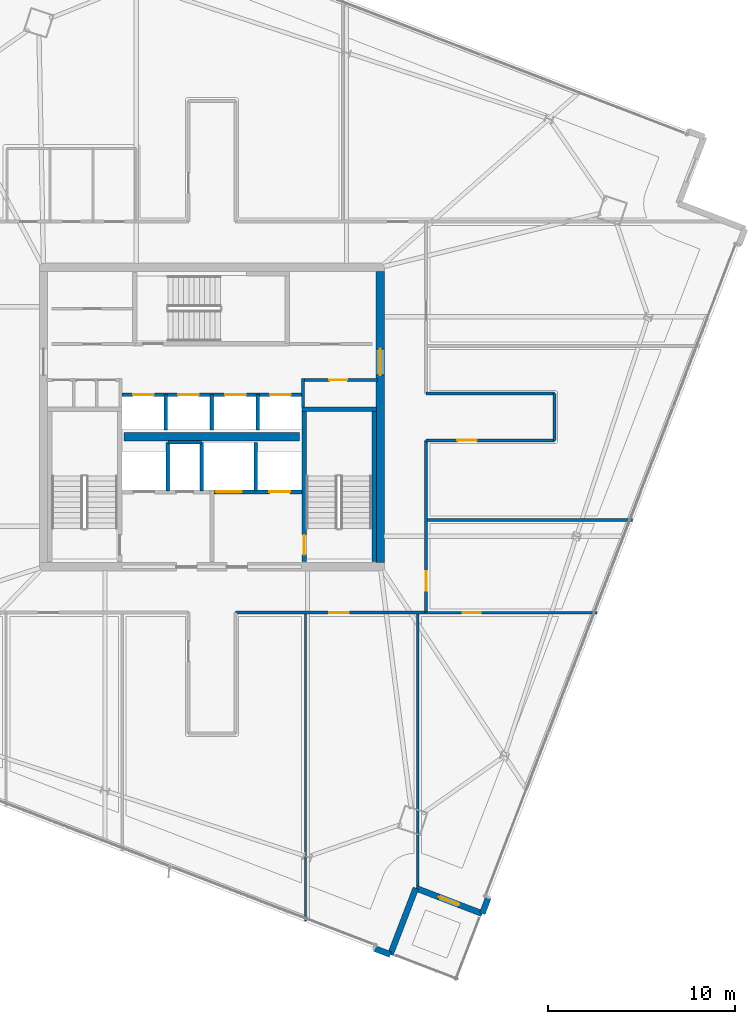
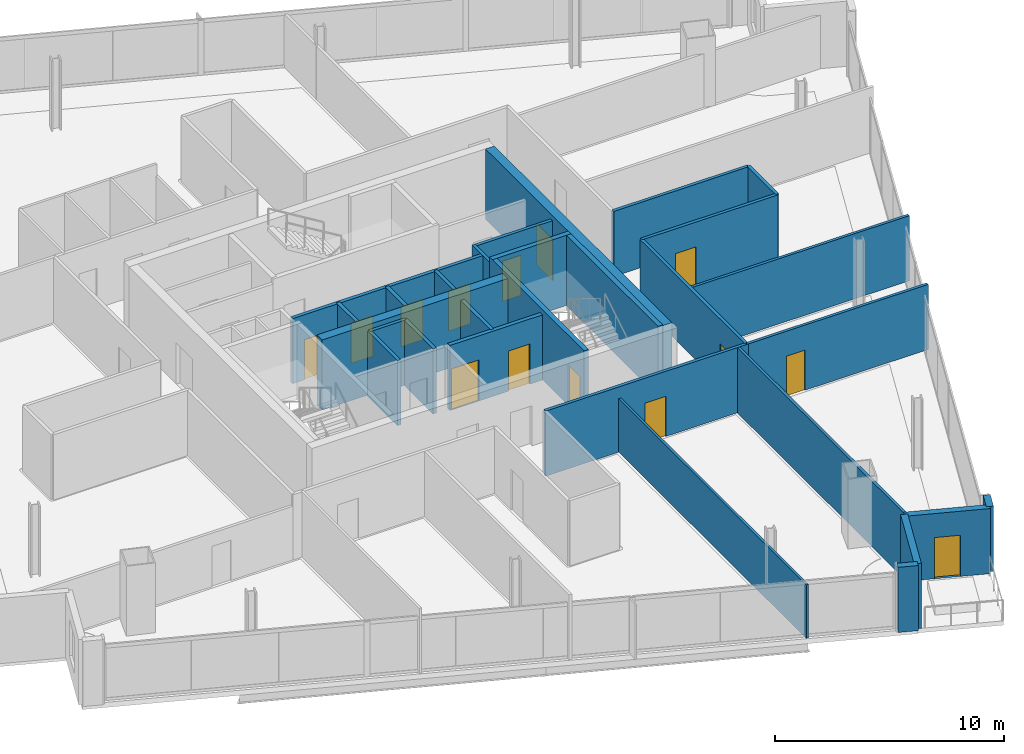
# One storey, part 20 of 27: 29 walls, 14 doors, 14 openings.
"""IFC4 building model written with IfcOpenShell, lengths in metres."""

from ifc_helpers import new_model, si_unit, direction, frame, frame_2d, origin, place, context, subcontext, project, spatial, rectangle, extrude, material, layer, layer_set, type_object, element, fill, save


model = new_model("IFC4")

# Units and contexts
model_context = context("Model", 3, precision=1e-05, world=origin(), true_north=direction((0.0, 1.0)))
body_context = subcontext(model_context, "Body", "Model", "MODEL_VIEW")
ifc_project = project(units=[si_unit("LENGTHUNIT", "METRE"), si_unit("AREAUNIT", "SQUARE_METRE"), si_unit("VOLUMEUNIT", "CUBIC_METRE"), si_unit("PLANEANGLEUNIT", "RADIAN"), si_unit("MASSUNIT", "GRAM", prefix="KILO")], contexts=[model_context])

# Site, building, storey
site_placement = place(None, origin())
site = spatial("IfcSite", under=ifc_project, at=site_placement, CompositionType="ELEMENT")
building_placement = place(site_placement, origin())
building = spatial("IfcBuilding", under=site, at=building_placement, Name="Haldenkirk Collegiate Tower", CompositionType="ELEMENT")
storey_placement = place(building_placement, frame((0.0, 0.0, 259.949951171875)))
storey = spatial("IfcBuildingStorey", under=building, at=storey_placement, Name="L65", CompositionType="ELEMENT", Elevation=259.949951171875)

# Wall, opening, door
ifc_material_1 = material(Name="Concrete f'c 55 MPa", Category="concrete")
ifc_layer_1 = layer(ifc_material_1, 0.449951171875)
ifc_layer_set_1 = layer_set([ifc_layer_1], Name="Concrete f'c 55 MPa")
wall_type_1 = type_object("IfcWallType", Name="WL-CORE-450", PredefinedType="SHEAR", material=ifc_layer_set_1)
wall_1_placement = place(storey_placement, frame((45.0, 18.22509765625, 0.0), z_axis=(0.0, 0.0, 1.0), x_axis=(0.0, 1.0, 0.0)))
wall_1 = element("IfcWall", 1, at=wall_1_placement, inside=storey, type_object=wall_type_1, Name="L65 central core shear wall E", PredefinedType="SHEAR", context=body_context, shape_type="SweptSolid", body=[
    extrude(rectangle(XDim=15.5498046875, YDim=0.449951171875, at=frame_2d((7.77490234375, 0.0))), origin(), (0.0, 0.0, 1.0), 3.75),
])
opening_1_placement = place(wall_1_placement, frame((10.014892578125, 0.0, 0.0)))
opening_1 = element("IfcOpeningElement", 2, at=opening_1_placement, cuts=wall_1, Name="Opening D-03", PredefinedType="OPENING", context=body_context, shape_type="SweptSolid", body=[
    extrude(rectangle(XDim=1.39990234375, YDim=2.199951171875, at=frame_2d((0.699951171875, 1.10009765625))), frame((0.0, 0.23486328125, 0.0), z_axis=(0.0, -1.0, 0.0), x_axis=(1.0, 0.0, 0.0)), (0.0, 0.0, 1.0), 0.469970703125),
])
ifc_material_2 = material(Name="Galvanized fire-rated hollow steel door", Category="steel")
ifc_layer_2 = layer(ifc_material_2, 0.06005859375)
ifc_layer_set_2 = layer_set([ifc_layer_2], Name="Galvanized fire-rated hollow steel door")
door_type_1 = type_object("IfcDoorType", Name="DR-LOBBY-FD90-1400", OperationType="NOTDEFINED", PredefinedType="DOOR", material=ifc_layer_set_2)
door_1_placement = place(opening_1_placement, origin())
door_1 = element("IfcDoor", 3, at=door_1_placement, inside=storey, type_object=door_type_1, Name="L65 east lift lobby portal", OperationType="DOUBLE_DOOR_SINGLE_SWING", OverallHeight=2.199951171875, OverallWidth=1.39990234375, PredefinedType="DOOR", context=body_context, shape_type="SweptSolid", body=[
    extrude(rectangle(XDim=1.39990234375, YDim=2.199951171875, at=frame_2d((0.699951171875, 1.10009765625))), frame((0.0, 0.02490234375, 0.0), z_axis=(0.0, -1.0, 0.0), x_axis=(1.0, 0.0, 0.0)), (0.0, 0.0, 1.0), 0.050048828125),
])
fill(opening_1, door_1)

# Walls
wall_2_placement = place(storey_placement, frame((31.31005859375, 24.949951171875, 0.0), z_axis=(0.0, 0.0, 1.0), x_axis=(1.0, 0.0, 0.0)))
element("IfcWall", 4, at=wall_2_placement, inside=storey, type_object=wall_type_1, Name="L65 central core spine shear wall", PredefinedType="SHEAR", context=body_context, shape_type="SweptSolid", body=[
    extrude(rectangle(XDim=9.3798828125, YDim=0.449951171875, at=frame_2d((4.68994140625, 0.0))), origin(), (0.0, 0.0, 1.0), 3.75),
])
ifc_material_3 = material(Name="Precast concrete f'c 40 MPa", Category="concrete")
ifc_layer_3 = layer(ifc_material_3, 0.320068359375)
ifc_layer_set_3 = layer_set([ifc_layer_3], Name="Precast concrete f'c 40 MPa")
wall_type_2 = type_object("IfcWallType", Name="WL-EXT-TWR-320", PredefinedType="STANDARD", material=ifc_layer_set_3)
for number, where, z_axis, x_axis, name in (
    (5, (50.770751953125, 0.299560546875, 0.0), (0.0, 0.0, 1.0), (-0.358397236741, -0.933569183669, 0.0), "L65 precast corner pier SR"),
    (6, (45.538818359375, -2.726318359375, 0.0), (0.0, 0.0, 1.0), (-0.933569183669, 0.358397236741, 0.0), "L65 precast corner pier WL"),
):
    element("IfcWall", number, at=place(storey_placement, frame(where, z_axis=z_axis, x_axis=x_axis)), inside=storey, type_object=wall_type_2, Name=name, PredefinedType="STANDARD", context=body_context, shape_type="SweptSolid", body=[
        extrude(rectangle(XDim=0.89990234375, YDim=0.320068359375, at=frame_2d((0.449951171875, 0.0))), origin(), (0.0, 0.0, 1.0), 3.47998046875),
    ])
wall_3_placement = place(storey_placement, frame((46.900634765625, 0.8212890625, 0.0), z_axis=(0.0, 0.0, 1.0), x_axis=(-0.35837196486, -0.933578885152, 0.0)))
element("IfcWall", 7, at=wall_3_placement, inside=storey, type_object=wall_type_2, Name="L65 bronze precast notch wall 11", PredefinedType="STANDARD", context=body_context, shape_type="SweptSolid", body=[
    extrude(rectangle(XDim=3.800048828125, YDim=0.320068359375, at=frame_2d((1.89990234375, 0.0))), origin(), (0.0, 0.0, 1.0), 3.47998046875),
])

# Wall, opening, door
wall_4_placement = place(storey_placement, frame((50.4482421875, -0.54052734375, 0.0), z_axis=(0.0, 0.0, 1.0), x_axis=(-0.933578885152, 0.35837196486, 0.0)))
wall_4 = element("IfcWall", 8, at=wall_4_placement, inside=storey, type_object=wall_type_2, Name="L65 bronze precast notch wall 12", PredefinedType="STANDARD", context=body_context, shape_type="SweptSolid", body=[
    extrude(rectangle(XDim=3.800048828125, YDim=0.320068359375, at=frame_2d((1.89990234375, 0.0))), origin(), (0.0, 0.0, 1.0), 3.47998046875),
])
opening_2_placement = place(wall_4_placement, frame((1.324951171875, 0.0, 0.0)))
opening_2 = element("IfcOpeningElement", 9, at=opening_2_placement, cuts=wall_4, Name="Opening D-ST11", PredefinedType="OPENING", context=body_context, shape_type="SweptSolid", body=[
    extrude(rectangle(XDim=1.14990234375, YDim=2.199951171875, at=frame_2d((0.574951171875, 1.10009765625))), frame((0.0, 0.169921875, 0.0), z_axis=(0.0, -1.0, 0.0), x_axis=(1.0, 0.0, 0.0)), (0.0, 0.0, 1.0), 0.340087890625),
])
ifc_material_4 = material(Name="Anodised architectural bronze aluminium", Category="aluminium")
ifc_layer_4 = layer(ifc_material_4, 0.080078125)
ifc_layer_set_4 = layer_set([ifc_layer_4], Name="Anodised architectural bronze aluminium")
door_type_2 = type_object("IfcDoorType", Name="DR-EXT-STER-1150", OperationType="NOTDEFINED", PredefinedType="DOOR", material=ifc_layer_set_4)
door_2_placement = place(opening_2_placement, origin())
door_2 = element("IfcDoor", 10, at=door_2_placement, inside=storey, type_object=door_type_2, Name="L65 spiralling terrace door", OperationType="SINGLE_SWING_RIGHT", OverallHeight=2.199951171875, OverallWidth=1.14990234375, PredefinedType="DOOR", context=body_context, shape_type="SweptSolid", body=[
    extrude(rectangle(XDim=1.14990234375, YDim=2.199951171875, at=frame_2d((0.574951171875, 1.10009765625))), frame((0.0, 0.02490234375, 0.0), z_axis=(0.0, -1.0, 0.0), x_axis=(1.0, 0.0, 0.0)), (0.0, 0.0, 1.0), 0.050048828125),
])
fill(opening_2, door_2)

ifc_material_5 = material(Name="Acoustic fire-rated gypsum partition", Category="concrete")
ifc_layer_5 = layer(ifc_material_5, 0.159912109375)
ifc_layer_set_5 = layer_set([ifc_layer_5], Name="Acoustic fire-rated gypsum partition")
wall_type_3 = type_object("IfcWallType", Name="WL-INT-CORR-160", PredefinedType="PARTITIONING", material=ifc_layer_set_5)
wall_5_placement = place(storey_placement, frame((40.800048828125, 27.97998046875, 0.0), z_axis=(0.0, 0.0, 1.0), x_axis=(1.0, 0.0, 0.0)))
wall_5 = element("IfcWall", 11, at=wall_5_placement, inside=storey, type_object=wall_type_3, Name="L65 interior partition IW-L65-VCSE-N", PredefinedType="PARTITIONING", context=body_context, shape_type="SweptSolid", body=[
    extrude(rectangle(XDim=4.050048828125, YDim=0.159912109375, at=frame_2d((2.02490234375, 0.0))), origin(), (0.0, 0.0, 1.0), 3.47998046875),
])
opening_3_placement = place(wall_5_placement, frame((1.47509765625, 0.0, 0.0)))
opening_3 = element("IfcOpeningElement", 12, at=opening_3_placement, cuts=wall_5, Name="Opening D-10", PredefinedType="OPENING", context=body_context, shape_type="SweptSolid", body=[
    extrude(rectangle(XDim=0.949951171875, YDim=2.14990234375, at=frame_2d((0.47509765625, 1.074951171875))), frame((0.0, 0.08984375, 0.0), z_axis=(0.0, -1.0, 0.0), x_axis=(1.0, 0.0, 0.0)), (0.0, 0.0, 1.0), 0.179931640625),
])
ifc_material_6 = material(Name="Solid-core architectural oak fire door", Category="wood")
ifc_layer_6 = layer(ifc_material_6, 0.06005859375)
ifc_layer_set_6 = layer_set([ifc_layer_6], Name="Solid-core architectural oak fire door")
door_type_3 = type_object("IfcDoorType", Name="DR-INT-FD60-950", OperationType="NOTDEFINED", PredefinedType="DOOR", material=ifc_layer_set_6)
door_3_placement = place(opening_3_placement, origin())
door_3 = element("IfcDoor", 13, at=door_3_placement, inside=storey, type_object=door_type_3, Name="L65 core archive vault door", OperationType="SINGLE_SWING_RIGHT", OverallHeight=2.14990234375, OverallWidth=0.949951171875, PredefinedType="DOOR", context=body_context, shape_type="SweptSolid", body=[
    extrude(rectangle(XDim=0.949951171875, YDim=2.14990234375, at=frame_2d((0.47509765625, 1.074951171875))), frame((0.0, 0.02490234375, 0.0), z_axis=(0.0, -1.0, 0.0), x_axis=(1.0, 0.0, 0.0)), (0.0, 0.0, 1.0), 0.050048828125),
])
fill(opening_3, door_3)

# Wall
wall_6_placement = place(storey_placement, frame((40.8798828125, 26.5400390625, 0.0), z_axis=(0.0, 0.0, 1.0), x_axis=(0.0, 1.0, 0.0)))
element("IfcWall", 14, at=wall_6_placement, inside=storey, type_object=wall_type_3, Name="L65 interior partition IW-L65-VCSE-W", PredefinedType="PARTITIONING", context=body_context, shape_type="SweptSolid", body=[
    extrude(rectangle(XDim=1.510009765625, YDim=0.159912109375, at=frame_2d((0.7548828125, 0.0))), origin(), (0.0, 0.0, 1.0), 3.47998046875),
])

# Wall, opening, door
wall_7_placement = place(storey_placement, frame((37.25, 15.550048828125, 0.0), z_axis=(0.0, 0.0, 1.0), x_axis=(1.0, 0.0, 0.0)))
wall_7 = element("IfcWall", 15, at=wall_7_placement, inside=storey, type_object=wall_type_3, Name="L65 interior partition IW-L65-CS2", PredefinedType="PARTITIONING", context=body_context, shape_type="SweptSolid", body=[
    extrude(rectangle(XDim=10.25, YDim=0.159912109375, at=frame_2d((5.125, 0.0))), origin(), (0.0, 0.0, 1.0), 3.47998046875),
])
opening_4_placement = place(wall_7_placement, frame((5.02490234375, 0.0, 0.0)))
opening_4 = element("IfcOpeningElement", 16, at=opening_4_placement, cuts=wall_7, Name="Opening D-09", PredefinedType="OPENING", context=body_context, shape_type="SweptSolid", body=[
    extrude(rectangle(XDim=1.050048828125, YDim=2.14990234375, at=frame_2d((0.52490234375, 1.074951171875))), frame((0.0, 0.08984375, 0.0), z_axis=(0.0, -1.0, 0.0), x_axis=(1.0, 0.0, 0.0)), (0.0, 0.0, 1.0), 0.179931640625),
])
ifc_layer_7 = layer(ifc_material_6, 0.06005859375)
ifc_layer_set_7 = layer_set([ifc_layer_7], Name="Solid-core architectural oak fire door")
door_type_4 = type_object("IfcDoorType", Name="DR-INT-FD60-1050", OperationType="NOTDEFINED", PredefinedType="DOOR", material=ifc_layer_set_7)
door_4_placement = place(opening_4_placement, origin())
door_4 = element("IfcDoor", 17, at=door_4_placement, inside=storey, type_object=door_type_4, Name="L65 Environmental Lab 4 door", OperationType="SINGLE_SWING_RIGHT", OverallHeight=2.14990234375, OverallWidth=1.050048828125, PredefinedType="DOOR", context=body_context, shape_type="SweptSolid", body=[
    extrude(rectangle(XDim=1.050048828125, YDim=2.14990234375, at=frame_2d((0.52490234375, 1.074951171875))), frame((0.0, 0.02490234375, 0.0), z_axis=(0.0, -1.0, 0.0), x_axis=(1.0, 0.0, 0.0)), (0.0, 0.0, 1.0), 0.050048828125),
])
fill(opening_4, door_4)

wall_8_placement = place(storey_placement, frame((47.449951171875, 15.550048828125, 0.0), z_axis=(0.0, 0.0, 1.0), x_axis=(0.0, 1.0, 0.0)))
wall_8 = element("IfcWall", 18, at=wall_8_placement, inside=storey, type_object=wall_type_3, Name="L65 interior partition IW-L65-CE1", PredefinedType="PARTITIONING", context=body_context, shape_type="SweptSolid", body=[
    extrude(rectangle(XDim=9.199951171875, YDim=0.159912109375, at=frame_2d((4.60009765625, 0.0))), origin(), (0.0, 0.0, 1.0), 3.47998046875),
])
opening_5_placement = place(wall_8_placement, frame((1.1650390625, 0.0, 0.0)))
opening_5 = element("IfcOpeningElement", 19, at=opening_5_placement, cuts=wall_8, Name="Opening D-09", PredefinedType="OPENING", context=body_context, shape_type="SweptSolid", body=[
    extrude(rectangle(XDim=1.050048828125, YDim=2.14990234375, at=frame_2d((0.52490234375, 1.074951171875))), frame((0.0, 0.08984375, 0.0), z_axis=(0.0, -1.0, 0.0), x_axis=(1.0, 0.0, 0.0)), (0.0, 0.0, 1.0), 0.179931640625),
])
door_5_placement = place(opening_5_placement, origin())
door_5 = element("IfcDoor", 20, at=door_5_placement, inside=storey, type_object=door_type_4, Name="L65 Robotics Fabrication Lab 9 door", OperationType="SINGLE_SWING_LEFT", OverallHeight=2.14990234375, OverallWidth=1.050048828125, PredefinedType="DOOR", context=body_context, shape_type="SweptSolid", body=[
    extrude(rectangle(XDim=1.050048828125, YDim=2.14990234375, at=frame_2d((0.52490234375, 1.074951171875))), frame((0.0, 0.02490234375, 0.0), z_axis=(0.0, -1.0, 0.0), x_axis=(1.0, 0.0, 0.0)), (0.0, 0.0, 1.0), 0.050048828125),
])
fill(opening_5, door_5)

wall_9_placement = place(storey_placement, frame((47.449951171875, 24.75, 0.0), z_axis=(0.0, 0.0, 1.0), x_axis=(1.0, 0.0, 0.0)))
wall_9 = element("IfcWall", 21, at=wall_9_placement, inside=storey, type_object=wall_type_3, Name="L65 interior partition IW-L65-EPS", PredefinedType="PARTITIONING", context=body_context, shape_type="SweptSolid", body=[
    extrude(rectangle(XDim=6.85009765625, YDim=0.159912109375, at=frame_2d((3.425048828125, 0.0))), origin(), (0.0, 0.0, 1.0), 3.47998046875),
])
opening_6_placement = place(wall_9_placement, frame((1.6669921875, 0.0, 0.0)))
opening_6 = element("IfcOpeningElement", 22, at=opening_6_placement, cuts=wall_9, Name="Opening D-09", PredefinedType="OPENING", context=body_context, shape_type="SweptSolid", body=[
    extrude(rectangle(XDim=1.050048828125, YDim=2.14990234375, at=frame_2d((0.52490234375, 1.074951171875))), frame((0.0, 0.08984375, 0.0), z_axis=(0.0, -1.0, 0.0), x_axis=(1.0, 0.0, 0.0)), (0.0, 0.0, 1.0), 0.179931640625),
])
door_6_placement = place(opening_6_placement, origin())
door_6 = element("IfcDoor", 23, at=door_6_placement, inside=storey, type_object=door_type_4, Name="L65 Environmental Lab 10 door", OperationType="SINGLE_SWING_RIGHT", OverallHeight=2.14990234375, OverallWidth=1.050048828125, PredefinedType="DOOR", context=body_context, shape_type="SweptSolid", body=[
    extrude(rectangle(XDim=1.050048828125, YDim=2.14990234375, at=frame_2d((0.52490234375, 1.074951171875))), frame((0.0, 0.02490234375, 0.0), z_axis=(0.0, -1.0, 0.0), x_axis=(1.0, 0.0, 0.0)), (0.0, 0.0, 1.0), 0.050048828125),
])
fill(opening_6, door_6)

# Walls
wall_10_placement = place(storey_placement, frame((47.449951171875, 27.25, 0.0), z_axis=(0.0, 0.0, 1.0), x_axis=(1.0, 0.0, 0.0)))
element("IfcWall", 24, at=wall_10_placement, inside=storey, type_object=wall_type_3, Name="L65 interior partition IW-L65-EPN", PredefinedType="PARTITIONING", context=body_context, shape_type="SweptSolid", body=[
    extrude(rectangle(XDim=6.85009765625, YDim=0.159912109375, at=frame_2d((3.425048828125, 0.0))), origin(), (0.0, 0.0, 1.0), 3.47998046875),
])
wall_11_placement = place(storey_placement, frame((54.300048828125, 24.75, 0.0), z_axis=(0.0, 0.0, 1.0), x_axis=(0.0, 1.0, 0.0)))
element("IfcWall", 25, at=wall_11_placement, inside=storey, type_object=wall_type_3, Name="L65 interior partition IW-L65-EPE", PredefinedType="PARTITIONING", context=body_context, shape_type="SweptSolid", body=[
    extrude(rectangle(XDim=2.5, YDim=0.159912109375, at=frame_2d((1.25, 0.0))), origin(), (0.0, 0.0, 1.0), 3.47998046875),
])

# Wall, opening, door
ifc_layer_8 = layer(ifc_material_5, 0.139892578125)
ifc_layer_set_8 = layer_set([ifc_layer_8], Name="Acoustic fire-rated gypsum partition")
wall_type_4 = type_object("IfcWallType", Name="WL-INT-DIV-140", PredefinedType="PARTITIONING", material=ifc_layer_set_8)
wall_12_placement = place(storey_placement, frame((47.449951171875, 15.550048828125, 0.0), z_axis=(0.0, 0.0, 1.0), x_axis=(1.0, 0.0, 0.0)))
wall_12 = element("IfcWall", 26, at=wall_12_placement, inside=storey, type_object=wall_type_4, Name="L65 interior partition IW-L65-BES", PredefinedType="PARTITIONING", context=body_context, shape_type="SweptSolid", body=[
    extrude(rectangle(XDim=9.132080078125, YDim=0.139892578125, at=frame_2d((4.56591796875, 0.0))), origin(), (0.0, 0.0, 1.0), 3.47998046875),
])
opening_7_placement = place(wall_12_placement, frame((1.9599609375, 0.0, 0.0)))
opening_7 = element("IfcOpeningElement", 27, at=opening_7_placement, cuts=wall_12, Name="Opening D-12", PredefinedType="OPENING", context=body_context, shape_type="SweptSolid", body=[
    extrude(rectangle(XDim=0.949951171875, YDim=2.14990234375, at=frame_2d((0.47509765625, 1.074951171875))), frame((0.0, 0.079833984375, 0.0), z_axis=(0.0, -1.0, 0.0), x_axis=(1.0, 0.0, 0.0)), (0.0, 0.0, 1.0), 0.159912109375),
])
ifc_layer_9 = layer(ifc_material_6, 0.06005859375)
ifc_layer_set_9 = layer_set([ifc_layer_9], Name="Solid-core architectural oak fire door")
door_type_5 = type_object("IfcDoorType", Name="DR-INT-STD-950", OperationType="NOTDEFINED", PredefinedType="DOOR", material=ifc_layer_set_9)
door_7_placement = place(opening_7_placement, origin())
door_7 = element("IfcDoor", 28, at=door_7_placement, inside=storey, type_object=door_type_5, Name="L65 Optics Research Laboratory 5 door", OperationType="SINGLE_SWING_LEFT", OverallHeight=2.14990234375, OverallWidth=0.949951171875, PredefinedType="DOOR", context=body_context, shape_type="SweptSolid", body=[
    extrude(rectangle(XDim=0.949951171875, YDim=2.14990234375, at=frame_2d((0.47509765625, 1.074951171875))), frame((0.0, 0.02490234375, 0.0), z_axis=(0.0, -1.0, 0.0), x_axis=(1.0, 0.0, 0.0)), (0.0, 0.0, 1.0), 0.050048828125),
])
fill(opening_7, door_7)

# Walls
wall_13_placement = place(storey_placement, frame((47.0, 0.825927734375, 0.0), z_axis=(0.0, 0.0, 1.0), x_axis=(0.0, 1.0, 0.0)))
element("IfcWall", 29, at=wall_13_placement, inside=storey, type_object=wall_type_4, Name="L65 interior partition IW-L65-RS4", PredefinedType="PARTITIONING", context=body_context, shape_type="SweptSolid", body=[
    extrude(rectangle(XDim=14.72412109375, YDim=0.139892578125, at=frame_2d((7.362060546875, 0.0))), origin(), (0.0, 0.0, 1.0), 3.47998046875),
])
wall_14_placement = place(storey_placement, frame((47.449951171875, 20.5, 0.0), z_axis=(0.0, 0.0, 1.0), x_axis=(1.0, 0.0, 0.0)))
element("IfcWall", 30, at=wall_14_placement, inside=storey, type_object=wall_type_4, Name="L65 interior partition IW-L65-RE1", PredefinedType="PARTITIONING", context=body_context, shape_type="SweptSolid", body=[
    extrude(rectangle(XDim=11.0322265625, YDim=0.139892578125, at=frame_2d((5.51611328125, 0.0))), origin(), (0.0, 0.0, 1.0), 3.47998046875),
])
ifc_material_7 = material(Name="Fire-rated gypsum shaftboard assembly", Category="concrete")
ifc_layer_10 = layer(ifc_material_7, 0.179931640625)
ifc_layer_set_10 = layer_set([ifc_layer_10], Name="Fire-rated gypsum shaftboard assembly")
wall_type_5 = type_object("IfcWallType", Name="WL-INT-SHAFT-180", PredefinedType="PARTITIONING", material=ifc_layer_set_10)
for number, where, z_axis, x_axis, name in (
    (31, (33.64990234375, 22.050048828125, 0.0), (0.0, 0.0, 1.0), (0.0, 1.0, 0.0), "L65 interior partition IW-L65-FL1E"),
    (32, (35.449951171875, 22.050048828125, 0.0), (0.0, 0.0, 1.0), (0.0, 1.0, 0.0), "L65 interior partition IW-L65-GL1W"),
):
    element("IfcWall", number, at=place(storey_placement, frame(where, z_axis=z_axis, x_axis=x_axis)), inside=storey, type_object=wall_type_5, Name=name, PredefinedType="PARTITIONING", context=body_context, shape_type="SweptSolid", body=[
        extrude(rectangle(XDim=2.599853515625, YDim=0.179931640625, at=frame_2d((1.2998046875, 0.0))), origin(), (0.0, 0.0, 1.0), 3.47998046875),
    ])
wall_15_placement = place(storey_placement, frame((33.64990234375, 24.64990234375, 0.0), z_axis=(0.0, 0.0, 1.0), x_axis=(1.0, 0.0, 0.0)))
element("IfcWall", 33, at=wall_15_placement, inside=storey, type_object=wall_type_5, Name="L65 interior partition IW-L65-RSRN", PredefinedType="PARTITIONING", context=body_context, shape_type="SweptSolid", body=[
    extrude(rectangle(XDim=1.800048828125, YDim=0.179931640625, at=frame_2d((0.89990234375, 0.0))), origin(), (0.0, 0.0, 1.0), 3.47998046875),
])
wall_16_placement = place(storey_placement, frame((38.35009765625, 22.050048828125, 0.0), z_axis=(0.0, 0.0, 1.0), x_axis=(0.0, 1.0, 0.0)))
element("IfcWall", 34, at=wall_16_placement, inside=storey, type_object=wall_type_5, Name="L65 interior partition IW-L65-GL1E", PredefinedType="PARTITIONING", context=body_context, shape_type="SweptSolid", body=[
    extrude(rectangle(XDim=2.599853515625, YDim=0.179931640625, at=frame_2d((1.2998046875, 0.0))), origin(), (0.0, 0.0, 1.0), 3.47998046875),
])

# Wall, openings, doors
wall_17_placement = place(storey_placement, frame((31.199951171875, 27.199951171875, 0.0), z_axis=(0.0, 0.0, 1.0), x_axis=(1.0, 0.0, 0.0)))
wall_17 = element("IfcWall", 35, at=wall_17_placement, inside=storey, type_object=wall_type_5, Name="L65 interior partition IW-L65-PHN", PredefinedType="PARTITIONING", context=body_context, shape_type="SweptSolid", body=[
    extrude(rectangle(XDim=9.60009765625, YDim=0.179931640625, at=frame_2d((4.800048828125, 0.0))), origin(), (0.0, 0.0, 1.0), 3.47998046875),
])
opening_8_placement = place(wall_17_placement, frame((0.590087890625, 0.0, 0.0)))
opening_8 = element("IfcOpeningElement", 36, at=opening_8_placement, cuts=wall_17, Name="Opening LD-11", PredefinedType="OPENING", context=body_context, shape_type="SweptSolid", body=[
    extrude(rectangle(XDim=1.10009765625, YDim=2.14990234375, at=frame_2d((0.550048828125, 1.074951171875))), frame((0.0, 0.099853515625, 0.0), z_axis=(0.0, -1.0, 0.0), x_axis=(1.0, 0.0, 0.0)), (0.0, 0.0, 1.0), 0.199951171875),
])
opening_9_placement = place(wall_17_placement, frame((2.989990234375, 0.0, 0.0)))
opening_9 = element("IfcOpeningElement", 37, at=opening_9_placement, cuts=wall_17, Name="Opening LD-11", PredefinedType="OPENING", context=body_context, shape_type="SweptSolid", body=[
    extrude(rectangle(XDim=1.10009765625, YDim=2.14990234375, at=frame_2d((0.550048828125, 1.074951171875))), frame((0.0, 0.099853515625, 0.0), z_axis=(0.0, -1.0, 0.0), x_axis=(1.0, 0.0, 0.0)), (0.0, 0.0, 1.0), 0.199951171875),
])
opening_10_placement = place(wall_17_placement, frame((5.510009765625, 0.0, 0.0)))
opening_10 = element("IfcOpeningElement", 38, at=opening_10_placement, cuts=wall_17, Name="Opening LD-11", PredefinedType="OPENING", context=body_context, shape_type="SweptSolid", body=[
    extrude(rectangle(XDim=1.10009765625, YDim=2.14990234375, at=frame_2d((0.550048828125, 1.074951171875))), frame((0.0, 0.099853515625, 0.0), z_axis=(0.0, -1.0, 0.0), x_axis=(1.0, 0.0, 0.0)), (0.0, 0.0, 1.0), 0.199951171875),
])
opening_11_placement = place(wall_17_placement, frame((7.909912109375, 0.0, 0.0)))
opening_11 = element("IfcOpeningElement", 39, at=opening_11_placement, cuts=wall_17, Name="Opening LD-11", PredefinedType="OPENING", context=body_context, shape_type="SweptSolid", body=[
    extrude(rectangle(XDim=1.10009765625, YDim=2.14990234375, at=frame_2d((0.550048828125, 1.074951171875))), frame((0.0, 0.099853515625, 0.0), z_axis=(0.0, -1.0, 0.0), x_axis=(1.0, 0.0, 0.0)), (0.0, 0.0, 1.0), 0.199951171875),
])
ifc_material_8 = material(Name="Brushed architectural stainless steel", Category="steel")
ifc_layer_11 = layer(ifc_material_8, 0.06005859375)
ifc_layer_set_11 = layer_set([ifc_layer_11], Name="Brushed architectural stainless steel")
door_type_6 = type_object("IfcDoorType", Name="LD-PASS-1100", OperationType="NOTDEFINED", PredefinedType="DOOR", material=ifc_layer_set_11)
door_8_placement = place(opening_8_placement, origin())
door_8 = element("IfcDoor", 40, at=door_8_placement, inside=storey, type_object=door_type_6, Name="L65 Elevator PH1 sliding landing door", OperationType="SLIDING_TO_LEFT", OverallHeight=2.14990234375, OverallWidth=1.10009765625, PredefinedType="DOOR", context=body_context, shape_type="SweptSolid", body=[
    extrude(rectangle(XDim=1.10009765625, YDim=2.14990234375, at=frame_2d((0.550048828125, 1.074951171875))), frame((0.0, 0.02490234375, 0.0), z_axis=(0.0, -1.0, 0.0), x_axis=(1.0, 0.0, 0.0)), (0.0, 0.0, 1.0), 0.050048828125),
])
fill(opening_8, door_8)
door_9_placement = place(opening_9_placement, origin())
door_9 = element("IfcDoor", 41, at=door_9_placement, inside=storey, type_object=door_type_6, Name="L65 Elevator PH2 sliding landing door", OperationType="SLIDING_TO_LEFT", OverallHeight=2.14990234375, OverallWidth=1.10009765625, PredefinedType="DOOR", context=body_context, shape_type="SweptSolid", body=[
    extrude(rectangle(XDim=1.10009765625, YDim=2.14990234375, at=frame_2d((0.550048828125, 1.074951171875))), frame((0.0, 0.02490234375, 0.0), z_axis=(0.0, -1.0, 0.0), x_axis=(1.0, 0.0, 0.0)), (0.0, 0.0, 1.0), 0.050048828125),
])
fill(opening_9, door_9)
door_10_placement = place(opening_10_placement, origin())
door_10 = element("IfcDoor", 42, at=door_10_placement, inside=storey, type_object=door_type_6, Name="L65 Elevator PH3 sliding landing door", OperationType="SLIDING_TO_LEFT", OverallHeight=2.14990234375, OverallWidth=1.10009765625, PredefinedType="DOOR", context=body_context, shape_type="SweptSolid", body=[
    extrude(rectangle(XDim=1.10009765625, YDim=2.14990234375, at=frame_2d((0.550048828125, 1.074951171875))), frame((0.0, 0.02490234375, 0.0), z_axis=(0.0, -1.0, 0.0), x_axis=(1.0, 0.0, 0.0)), (0.0, 0.0, 1.0), 0.050048828125),
])
fill(opening_10, door_10)
door_11_placement = place(opening_11_placement, origin())
door_11 = element("IfcDoor", 43, at=door_11_placement, inside=storey, type_object=door_type_6, Name="L65 Elevator PH4 sliding landing door", OperationType="SLIDING_TO_LEFT", OverallHeight=2.14990234375, OverallWidth=1.10009765625, PredefinedType="DOOR", context=body_context, shape_type="SweptSolid", body=[
    extrude(rectangle(XDim=1.10009765625, YDim=2.14990234375, at=frame_2d((0.550048828125, 1.074951171875))), frame((0.0, 0.02490234375, 0.0), z_axis=(0.0, -1.0, 0.0), x_axis=(1.0, 0.0, 0.0)), (0.0, 0.0, 1.0), 0.050048828125),
])
fill(opening_11, door_11)

# Walls
for number, where, z_axis, x_axis, name in (
    (44, (33.5400390625, 25.300048828125, 0.0), (0.0, 0.0, 1.0), (0.0, 1.0, 0.0), "L65 interior partition IW-L65-PHV1"),
    (45, (36.0, 25.300048828125, 0.0), (0.0, 0.0, 1.0), (0.0, 1.0, 0.0), "L65 interior partition IW-L65-PHV2"),
    (46, (38.4599609375, 25.300048828125, 0.0), (0.0, 0.0, 1.0), (0.0, 1.0, 0.0), "L65 interior partition IW-L65-PHV3"),
):
    element("IfcWall", number, at=place(storey_placement, frame(where, z_axis=z_axis, x_axis=x_axis)), inside=storey, type_object=wall_type_5, Name=name, PredefinedType="PARTITIONING", context=body_context, shape_type="SweptSolid", body=[
        extrude(rectangle(XDim=1.89990234375, YDim=0.179931640625, at=frame_2d((0.949951171875, 0.0))), origin(), (0.0, 0.0, 1.0), 3.47998046875),
    ])

# Wall, openings, doors
ifc_layer_12 = layer(ifc_material_7, 0.199951171875)
ifc_layer_set_12 = layer_set([ifc_layer_12], Name="Fire-rated gypsum shaftboard assembly")
wall_type_6 = type_object("IfcWallType", Name="WL-INT-SHAFT-200", PredefinedType="PARTITIONING", material=ifc_layer_set_12)
wall_18_placement = place(storey_placement, frame((36.1201171875, 22.0, 0.0), z_axis=(0.0, 0.0, 1.0), x_axis=(1.0, 0.0, 0.0)))
wall_18 = element("IfcWall", 47, at=wall_18_placement, inside=storey, type_object=wall_type_6, Name="L65 interior partition IW-L65-FFL2N", PredefinedType="PARTITIONING", context=body_context, shape_type="SweptSolid", body=[
    extrude(rectangle(XDim=4.68994140625, YDim=0.199951171875, at=frame_2d((2.344970703125, 0.0))), origin(), (0.0, 0.0, 1.0), 3.47998046875),
])
opening_12_placement = place(wall_18_placement, frame((2.955078125, 0.0, 0.0)))
opening_12 = element("IfcOpeningElement", 48, at=opening_12_placement, cuts=wall_18, Name="Opening LD-12", PredefinedType="OPENING", context=body_context, shape_type="SweptSolid", body=[
    extrude(rectangle(XDim=1.10009765625, YDim=2.14990234375, at=frame_2d((0.550048828125, 1.074951171875))), frame((0.0, 0.10986328125, 0.0), z_axis=(0.0, -1.0, 0.0), x_axis=(1.0, 0.0, 0.0)), (0.0, 0.0, 1.0), 0.219970703125),
])
opening_13_placement = place(wall_18_placement, frame((0.080078125, 0.0, 0.0)))
opening_13 = element("IfcOpeningElement", 49, at=opening_13_placement, cuts=wall_18, Name="Opening LD-13", PredefinedType="OPENING", context=body_context, shape_type="SweptSolid", body=[
    extrude(rectangle(XDim=1.39990234375, YDim=2.199951171875, at=frame_2d((0.699951171875, 1.10009765625))), frame((0.0, 0.10986328125, 0.0), z_axis=(0.0, -1.0, 0.0), x_axis=(1.0, 0.0, 0.0)), (0.0, 0.0, 1.0), 0.219970703125),
])
ifc_layer_13 = layer(ifc_material_8, 0.06005859375)
ifc_layer_set_13 = layer_set([ifc_layer_13], Name="Brushed architectural stainless steel")
door_type_7 = type_object("IfcDoorType", Name="LD-FIRE-1100", OperationType="NOTDEFINED", PredefinedType="DOOR", material=ifc_layer_set_13)
door_12_placement = place(opening_12_placement, origin())
door_12 = element("IfcDoor", 50, at=door_12_placement, inside=storey, type_object=door_type_7, Name="L65 Elevator FL2 sliding landing door", OperationType="SLIDING_TO_LEFT", OverallHeight=2.14990234375, OverallWidth=1.10009765625, PredefinedType="DOOR", context=body_context, shape_type="SweptSolid", body=[
    extrude(rectangle(XDim=1.10009765625, YDim=2.14990234375, at=frame_2d((0.550048828125, 1.074951171875))), frame((0.0, 0.02490234375, 0.0), z_axis=(0.0, -1.0, 0.0), x_axis=(1.0, 0.0, 0.0)), (0.0, 0.0, 1.0), 0.050048828125),
])
fill(opening_12, door_12)
ifc_layer_14 = layer(ifc_material_8, 0.06005859375)
ifc_layer_set_14 = layer_set([ifc_layer_14], Name="Brushed architectural stainless steel")
door_type_8 = type_object("IfcDoorType", Name="LD-GOODS-1400", OperationType="NOTDEFINED", PredefinedType="DOOR", material=ifc_layer_set_14)
door_13_placement = place(opening_13_placement, origin())
door_13 = element("IfcDoor", 51, at=door_13_placement, inside=storey, type_object=door_type_8, Name="L65 Elevator GL1 sliding landing door", OperationType="SLIDING_TO_LEFT", OverallHeight=2.199951171875, OverallWidth=1.39990234375, PredefinedType="DOOR", context=body_context, shape_type="SweptSolid", body=[
    extrude(rectangle(XDim=1.39990234375, YDim=2.199951171875, at=frame_2d((0.699951171875, 1.10009765625))), frame((0.0, 0.02490234375, 0.0), z_axis=(0.0, -1.0, 0.0), x_axis=(1.0, 0.0, 0.0)), (0.0, 0.0, 1.0), 0.050048828125),
])
fill(opening_13, door_13)

# Wall
ifc_layer_15 = layer(ifc_material_5, 0.1201171875)
ifc_layer_set_15 = layer_set([ifc_layer_15], Name="Acoustic fire-rated gypsum partition")
wall_type_7 = type_object("IfcWallType", Name="WL-INT-WET-120", PredefinedType="PARTITIONING", material=ifc_layer_set_15)
wall_19_placement = place(storey_placement, frame((41.0, -0.941162109375, 0.0), z_axis=(0.0, 0.0, 1.0), x_axis=(0.0, 1.0, 0.0)))
element("IfcWall", 52, at=wall_19_placement, inside=storey, type_object=wall_type_7, Name="L65 interior partition IW-L65-RS3", PredefinedType="PARTITIONING", context=body_context, shape_type="SweptSolid", body=[
    extrude(rectangle(XDim=16.4912109375, YDim=0.1201171875, at=frame_2d((8.24560546875, 0.0))), origin(), (0.0, 0.0, 1.0), 2.858154296875),
])

# Wall, opening, door
ifc_layer_16 = layer(ifc_material_1, 0.239990234375)
ifc_layer_set_16 = layer_set([ifc_layer_16], Name="Concrete f'c 55 MPa")
wall_type_8 = type_object("IfcWallType", Name="WL-SHAFT-240", PredefinedType="SHEAR", material=ifc_layer_set_16)
wall_20_placement = place(storey_placement, frame((40.929931640625, 18.280029296875, 0.0), z_axis=(0.0, 0.0, 1.0), x_axis=(0.0, 1.0, 0.0)))
wall_20 = element("IfcWall", 53, at=wall_20_placement, inside=storey, type_object=wall_type_8, Name="L65 stair shaft shear wall SW-L65-ST2W", PredefinedType="SHEAR", context=body_context, shape_type="SweptSolid", body=[
    extrude(rectangle(XDim=8.260009765625, YDim=0.239990234375, at=frame_2d((4.1298828125, 0.0))), origin(), (0.0, 0.0, 1.0), 3.75),
])
opening_14_placement = place(wall_20_placement, frame((0.364990234375, 0.0, 0.0)))
opening_14 = element("IfcOpeningElement", 54, at=opening_14_placement, cuts=wall_20, Name="Opening D-01", PredefinedType="OPENING", context=body_context, shape_type="SweptSolid", body=[
    extrude(rectangle(XDim=1.050048828125, YDim=2.14990234375, at=frame_2d((0.52490234375, 1.074951171875))), frame((0.0, 0.1298828125, 0.0), z_axis=(0.0, -1.0, 0.0), x_axis=(1.0, 0.0, 0.0)), (0.0, 0.0, 1.0), 0.260009765625),
])
ifc_layer_17 = layer(ifc_material_2, 0.06005859375)
ifc_layer_set_17 = layer_set([ifc_layer_17], Name="Galvanized fire-rated hollow steel door")
door_type_9 = type_object("IfcDoorType", Name="DR-STAIR-FD90-1050", OperationType="NOTDEFINED", PredefinedType="DOOR", material=ifc_layer_set_17)
door_14_placement = place(opening_14_placement, origin())
door_14 = element("IfcDoor", 55, at=door_14_placement, inside=storey, type_object=door_type_9, Name="L65 Stair 2 door", OperationType="SINGLE_SWING_RIGHT", OverallHeight=2.14990234375, OverallWidth=1.050048828125, PredefinedType="DOOR", context=body_context, shape_type="SweptSolid", body=[
    extrude(rectangle(XDim=1.050048828125, YDim=2.14990234375, at=frame_2d((0.52490234375, 1.074951171875))), frame((0.0, 0.02490234375, 0.0), z_axis=(0.0, -1.0, 0.0), x_axis=(1.0, 0.0, 0.0)), (0.0, 0.0, 1.0), 0.050048828125),
])
fill(opening_14, door_14)

# Walls
wall_21_placement = place(storey_placement, frame((40.81005859375, 26.419921875, 0.0), z_axis=(0.0, 0.0, 1.0), x_axis=(1.0, 0.0, 0.0)))
element("IfcWall", 56, at=wall_21_placement, inside=storey, type_object=wall_type_8, Name="L65 stair shaft shear wall SW-L65-ST2N", PredefinedType="SHEAR", context=body_context, shape_type="SweptSolid", body=[
    extrude(rectangle(XDim=3.97998046875, YDim=0.239990234375, at=frame_2d((1.989990234375, 0.0))), origin(), (0.0, 0.0, 1.0), 3.75),
])
wall_22_placement = place(storey_placement, frame((44.669921875, 18.280029296875, 0.0), z_axis=(0.0, 0.0, 1.0), x_axis=(0.0, 1.0, 0.0)))
element("IfcWall", 57, at=wall_22_placement, inside=storey, type_object=wall_type_8, Name="L65 stair shaft shear wall SW-L65-ST2E", PredefinedType="SHEAR", context=body_context, shape_type="SweptSolid", body=[
    extrude(rectangle(XDim=8.260009765625, YDim=0.239990234375, at=frame_2d((4.1298828125, 0.0))), origin(), (0.0, 0.0, 1.0), 3.75),
])

save(model, "model.ifc")
